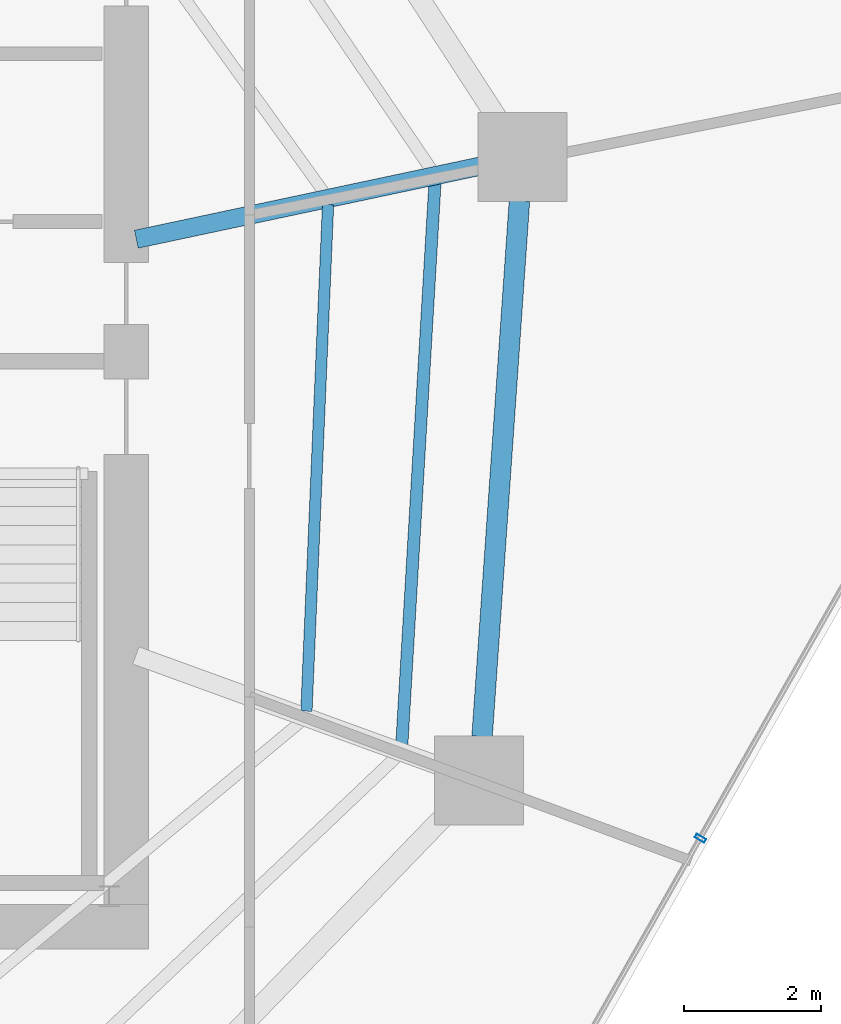
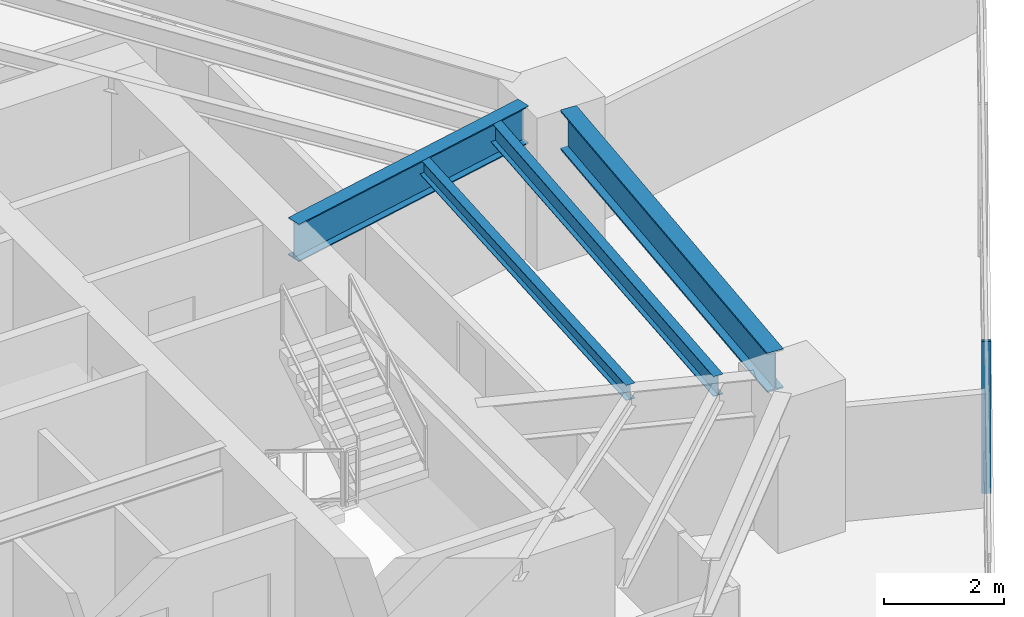
# One storey, part 14 of 31: 4 beams, 1 member, 1 element without a shape of its own.
"""IFC4 building model written with IfcOpenShell, lengths in metres."""

import ifcopenshell
import ifcopenshell.guid

model = None  # the IFC model being written
_history = None  # IfcOwnerHistory: only IFC2X3 demands one
_inside = {}  # id of a spatial element -> (the spatial element, [elements in it])
_under = {}  # id of a project, library or spatial element -> (it, [spatial elements below it])
_declared = {}  # id of a project -> (the project, [libraries it declares])
_typed = {}  # id of a type object -> (the type object, [elements of that type])
_made_of = {}  # id of a material, layer set ... -> (it, [elements and type objects made of it])


def new_model(schema):
    """Start an empty IFC model of exactly this schema.

    Asked for "IFC4X3", IfcOpenShell would pick the latest addendum, in which some entities
    have other attributes; the version numbers below select the first issue.
    IFC2X3 requires an IfcOwnerHistory on every rooted entity: one is made here for all.
    """
    global model, _history
    if schema == "IFC4X3":
        model = ifcopenshell.file(schema_version=(4, 3, 0, 0))
    else:
        model = ifcopenshell.file(schema=schema)
    _inside.clear()
    _under.clear()
    _declared.clear()
    _typed.clear()
    _made_of.clear()
    _history = None
    if model.schema == "IFC2X3":
        org = make("IfcOrganization", Name="unknown")
        user = make(
            "IfcPersonAndOrganization",
            ThePerson=make("IfcPerson", FamilyName="unknown"),
            TheOrganization=org,
        )
        app = make(
            "IfcApplication",
            ApplicationDeveloper=org,
            Version="unknown",
            ApplicationFullName="unknown",
            ApplicationIdentifier="unknown",
        )
        _history = make(
            "IfcOwnerHistory",
            OwningUser=user,
            OwningApplication=app,
            ChangeAction="ADDED",
            CreationDate=0,
        )
    return model


def make(cls, **values):
    """One entity of the class cls with the attributes given. An attribute that is None is left unset."""
    return model.create_entity(
        cls, **{name: value for name, value in values.items() if value is not None}
    )


def rooted(cls, **values):
    """An entity with a GlobalId (a new one), such as an element, a storey or a relation."""
    return make(cls, GlobalId=ifcopenshell.guid.new(), OwnerHistory=_history, **values)


def si_unit(unit_type, name, prefix=None):
    """IfcSIUnit, for example si_unit("LENGTHUNIT", "METRE", prefix="MILLI")."""
    return make("IfcSIUnit", UnitType=unit_type, Prefix=prefix, Name=name)


def assignment(units):
    """IfcUnitAssignment: the units of a project."""
    return None if units is None else make("IfcUnitAssignment", Units=units)


def point(xyz):
    """IfcCartesianPoint."""
    return None if xyz is None else make("IfcCartesianPoint", Coordinates=xyz)


def direction(xyz):
    """IfcDirection."""
    return None if xyz is None else make("IfcDirection", DirectionRatios=xyz)


def frame(location, z_axis=None, x_axis=None):
    """IfcAxis2Placement3D, a coordinate frame: its origin and axes. An axis left out is left unset."""
    return make(
        "IfcAxis2Placement3D",
        Location=point(location),
        Axis=direction(z_axis),
        RefDirection=direction(x_axis),
    )


def frame_2d(location, x_axis=None):
    """IfcAxis2Placement2D, a coordinate frame in the plane: its origin and x axis."""
    return make(
        "IfcAxis2Placement2D", Location=point(location), RefDirection=direction(x_axis)
    )


def origin():
    """The frame at (0, 0, 0) with its axes left unset."""
    return frame((0.0, 0.0, 0.0))


def origin_2d():
    """The frame at (0, 0) in the plane with its x axis left unset."""
    return frame_2d((0.0, 0.0))


def place(relative_to, where):
    """IfcLocalPlacement: puts the frame where relative to a parent placement (None: the world)."""
    return make(
        "IfcLocalPlacement", PlacementRelTo=relative_to, RelativePlacement=where
    )


def context(
    kind, dimensions, precision=None, world=None, true_north=None, identifier=None
):
    """IfcGeometricRepresentationContext, for example the 3D "Model" context."""
    return make(
        "IfcGeometricRepresentationContext",
        ContextIdentifier=identifier,
        ContextType=kind,
        CoordinateSpaceDimension=dimensions,
        Precision=precision,
        WorldCoordinateSystem=world,
        TrueNorth=true_north,
    )


def subcontext(parent, identifier, kind, view, scale=None):
    """IfcGeometricRepresentationSubContext, for example "Body" below "Model"."""
    return make(
        "IfcGeometricRepresentationSubContext",
        ContextIdentifier=identifier,
        ContextType=kind,
        ParentContext=parent,
        TargetScale=scale,
        TargetView=view,
    )


def project(units=None, contexts=None):
    """IfcProject with its units and contexts."""
    return rooted(
        "IfcProject",
        Name="project",
        RepresentationContexts=contexts,
        UnitsInContext=assignment(units),
    )


def spatial(cls, under=None, at=None, **own):
    """A site, building, storey or space (cls), placed at a placement, below another one or the project."""
    s = rooted(cls, ObjectPlacement=at, **own)
    if under is not None:
        _under.setdefault(under.id(), (under, []))[1].append(s)
    return s


def profile(cls, at=None, kind="AREA", **sizes):
    """A parametric profile (cls). Its sizes go by their IFC names, for example OverallWidth=200.0."""
    return make(cls, ProfileType=kind, Position=at, **sizes)


def hollow_rectangle(**sizes):
    """IfcRectangleHollowProfileDef."""
    return profile("IfcRectangleHollowProfileDef", **sizes)


def i_section(**sizes):
    """IfcIShapeProfileDef."""
    return profile("IfcIShapeProfileDef", **sizes)


def extrude(swept, where, along, depth):
    """IfcExtrudedAreaSolid: the profile swept, set in the frame where, extruded along a direction by depth."""
    return make(
        "IfcExtrudedAreaSolid",
        SweptArea=swept,
        Position=where,
        ExtrudedDirection=direction(along),
        Depth=depth,
    )


def shape(context_of_items, identifier, shape_type, items):
    """IfcShapeRepresentation: the items that make up one representation, for example the "Body"."""
    return make(
        "IfcShapeRepresentation",
        ContextOfItems=context_of_items,
        RepresentationIdentifier=identifier,
        RepresentationType=shape_type,
        Items=items,
    )


def material(Name=None, Category=None):
    """IfcMaterial."""
    return make("IfcMaterial", Name=Name, Category=Category)


def layer(
    of_material, thickness, ventilated=None, Name=None, Category=None, Priority=None
):
    """IfcMaterialLayer: one layer of a wall or slab, of a material (None: an air gap)."""
    return make(
        "IfcMaterialLayer",
        Material=of_material,
        LayerThickness=thickness,
        IsVentilated=ventilated,
        Name=Name,
        Category=Category,
        Priority=Priority,
    )


def layer_set(layers, Name=None):
    """IfcMaterialLayerSet."""
    return make("IfcMaterialLayerSet", MaterialLayers=layers, LayerSetName=Name)


def material_profile(
    of_material, cross_section, Name=None, Category=None, Priority=None
):
    """IfcMaterialProfile: a cross section and its material."""
    return make(
        "IfcMaterialProfile",
        Name=Name,
        Material=of_material,
        Profile=cross_section,
        Priority=Priority,
        Category=Category,
    )


def profile_set(profiles, Name=None, composite=None):
    """IfcMaterialProfileSet."""
    return make(
        "IfcMaterialProfileSet",
        Name=Name,
        MaterialProfiles=profiles,
        CompositeProfile=composite,
    )


def made_of(thing, what):
    """Note that an element or type object is made of a material, layer set ...; save() writes the relation."""
    if what is not None:
        _made_of.setdefault(what.id(), (what, []))[1].append(thing)
    return thing


def type_object(cls, material=None, **own):
    """A type object (cls), such as IfcWallType, which elements share."""
    return made_of(rooted(cls, **own), material)


def element(
    cls,
    number,
    at=None,
    inside=None,
    cuts=None,
    type_object=None,
    material=None,
    context=None,
    identifier="Body",
    shape_type=None,
    held_by="IfcProductDefinitionShape",
    body=None,
    shapes=None,
    **own,
):
    """One element of the class cls, such as IfcWall. Its Tag is "e" and its number.

    at: its placement. inside: the storey or other place that contains it. cuts: it is an
    opening in that element (IfcRelVoidsElement). A single representation is given by context,
    identifier, shape_type and body (its items); several are given by shapes. held_by: the class
    of the entity that holds the representations. save() writes the other relations.
    """
    e = rooted(cls, Tag="e%d" % number, ObjectPlacement=at, **own)
    if body is not None:
        shapes = [shape(context, identifier, shape_type, body)]
    if shapes is not None:
        e.Representation = make(held_by, Representations=shapes)
    if inside is not None:
        _inside.setdefault(inside.id(), (inside, []))[1].append(e)
    if cuts is not None:
        rooted(
            "IfcRelVoidsElement", RelatingBuildingElement=cuts, RelatedOpeningElement=e
        )
    if type_object is not None:
        _typed.setdefault(type_object.id(), (type_object, []))[1].append(e)
    return made_of(e, material)


def aggregate(whole, parts):
    """IfcRelAggregates: a whole, such as a stair, and the parts it consists of."""
    return rooted("IfcRelAggregates", RelatingObject=whole, RelatedObjects=parts)


def save(model, path):
    """Write the relations noted so far, then the file.

    IfcRelAggregates (storeys below a building ...), IfcRelContainedInSpatialStructure (elements
    in a storey), IfcRelDefinesByType, IfcRelAssociatesMaterial and IfcRelDeclares: one each for
    every whole, place, type object, material and project.
    """
    for whole, parts in _under.values():
        aggregate(whole, parts)
    for where, things in _inside.values():
        rooted(
            "IfcRelContainedInSpatialStructure",
            RelatedElements=things,
            RelatingStructure=where,
        )
    for kind, things in _typed.values():
        rooted("IfcRelDefinesByType", RelatedObjects=things, RelatingType=kind)
    for what, things in _made_of.values():
        rooted("IfcRelAssociatesMaterial", RelatedObjects=things, RelatingMaterial=what)
    for by, libraries in _declared.values():
        rooted("IfcRelDeclares", RelatingContext=by, RelatedDefinitions=libraries)
    model.write(path)


model = new_model("IFC4")

# Units and contexts
model_context = context("Model", 3, precision=1e-05, world=origin(), true_north=direction((0.0, 1.0)))
body_context = subcontext(model_context, "Body", "Model", "MODEL_VIEW")
ifc_project = project(units=[si_unit("LENGTHUNIT", "METRE"), si_unit("AREAUNIT", "SQUARE_METRE"), si_unit("VOLUMEUNIT", "CUBIC_METRE"), si_unit("PLANEANGLEUNIT", "RADIAN"), si_unit("MASSUNIT", "GRAM", prefix="KILO")], contexts=[model_context])

# Site, building, storey
site_placement = place(None, origin())
site = spatial("IfcSite", under=ifc_project, at=site_placement, CompositionType="ELEMENT")
building_placement = place(site_placement, origin())
building = spatial("IfcBuilding", under=site, at=building_placement, Name="Qarnah Convention Tower", CompositionType="ELEMENT")
storey_placement = place(building_placement, frame((0.0, 0.0, 68.39990234375)))
storey = spatial("IfcBuildingStorey", under=building, at=storey_placement, Name="L17", CompositionType="ELEMENT", Elevation=68.39990234375)

# Beams
ifc_material_1 = material(Name="Structural steel S355JR", Category="steel")
ifc_material_profile_1 = material_profile(ifc_material_1, i_section(OverallWidth=0.166015625, OverallDepth=0.31201171875, WebThickness=0.007080078125, FlangeThickness=0.010986328125, at=origin_2d()), Name="W310X45")
ifc_profile_set_1 = profile_set([ifc_material_profile_1], Name="Structural steel S355JR")
beam_type_1 = type_object("IfcBeamType", Name="BM-JST-W310", PredefinedType="JOIST", material=ifc_profile_set_1)
beam_1_placement = place(storey_placement, frame((50.23193359375, 21.7490234375, 2.93408203125), z_axis=(0.042691854151, 0.999088287184, 0.0), x_axis=(-0.999088287184, 0.042691854151, 0.0)))
element("IfcBeam", 1, at=beam_1_placement, inside=storey, type_object=beam_type_1, Name="L17 joist BM-L17-IJST-09", PredefinedType="JOIST", context=body_context, shape_type="SweptSolid", body=[
    extrude(i_section(OverallWidth=0.166015625, OverallDepth=0.31201171875, WebThickness=0.007080078125, FlangeThickness=0.010986328125, at=origin_2d()), origin(), (0.0, 0.0, 1.0), 7.40576171875),
])
ifc_material_profile_2 = material_profile(ifc_material_1, i_section(OverallWidth=0.177978515625, OverallDepth=0.407958984375, WebThickness=0.008056640625, FlangeThickness=0.012939453125, at=origin_2d()), Name="W410X60")
ifc_profile_set_2 = profile_set([ifc_material_profile_2], Name="Structural steel S355JR")
beam_type_2 = type_object("IfcBeamType", Name="BM-JST-W410", PredefinedType="JOIST", material=ifc_profile_set_2)
beam_2_placement = place(storey_placement, frame((51.6240234375, 21.241943359375, 2.885986328125), z_axis=(0.058902383337, 0.998263747332, 0.0), x_axis=(-0.998263747332, 0.058902383337, 0.0)))
element("IfcBeam", 2, at=beam_2_placement, inside=storey, type_object=beam_type_2, Name="L17 joist BM-L17-SJST-09", PredefinedType="JOIST", context=body_context, shape_type="SweptSolid", body=[
    extrude(i_section(OverallWidth=0.177978515625, OverallDepth=0.407958984375, WebThickness=0.008056640625, FlangeThickness=0.012939453125, at=origin_2d()), origin(), (0.0, 0.0, 1.0), 8.25244140625),
])
ifc_material_profile_3 = material_profile(ifc_material_1, i_section(OverallWidth=0.26806640625, OverallDepth=0.760009765625, WebThickness=0.014892578125, FlangeThickness=0.02197265625, at=origin_2d()), Name="W760X185")
ifc_profile_set_3 = profile_set([ifc_material_profile_3], Name="Structural steel S355JR")
beam_type_3 = type_object("IfcBeamType", Name="BM-RAD-W760", PredefinedType="BEAM", material=ifc_profile_set_3)
beam_3_placement = place(storey_placement, frame((47.7470703125, 28.64208984375, 2.710205078125), z_axis=(0.978155710431, 0.207873534031, 0.0), x_axis=(-0.207873534031, 0.978155710431, 0.0)))
element("IfcBeam", 3, at=beam_3_placement, inside=storey, type_object=beam_type_3, Name="L17 beam BM-L17-RAD-01", PredefinedType="BEAM", context=body_context, shape_type="SweptSolid", body=[
    extrude(i_section(OverallWidth=0.26806640625, OverallDepth=0.760009765625, WebThickness=0.014892578125, FlangeThickness=0.02197265625, at=origin_2d()), origin(), (0.0, 0.0, 1.0), 5.13720703125),
])
ifc_material_profile_4 = material_profile(ifc_material_1, i_section(OverallWidth=0.300048828125, OverallDepth=0.800048828125, WebThickness=0.01806640625, FlangeThickness=0.032958984375, at=origin_2d()), Name="HEB800")
ifc_profile_set_4 = profile_set([ifc_material_profile_4], Name="Structural steel S355JR")
beam_type_4 = type_object("IfcBeamType", Name="BM-RING-HEB800", PredefinedType="BEAM", material=ifc_profile_set_4)
beam_4_placement = place(storey_placement, frame((52.797119140625, 21.3779296875, 2.690185546875), z_axis=(0.069594661237, 0.997575352105, 0.0), x_axis=(-0.997575352105, 0.069594661237, 0.0)))
element("IfcBeam", 4, at=beam_4_placement, inside=storey, type_object=beam_type_4, Name="L17 beam BM-L17-SPN-09", PredefinedType="BEAM", context=body_context, shape_type="SweptSolid", body=[
    extrude(i_section(OverallWidth=0.300048828125, OverallDepth=0.800048828125, WebThickness=0.01806640625, FlangeThickness=0.032958984375, at=origin_2d()), origin(), (0.0, 0.0, 1.0), 7.843994140625),
])

# Curtain wall, member
ifc_material_2 = material(Name="Tempered Low-E dark glass", Category="glass")
ifc_layer = layer(ifc_material_2, 0.16796875)
ifc_layer_set = layer_set([ifc_layer], Name="Tempered Low-E dark glass")
curtain_wall_type = type_object("IfcCurtainWallType", Name="CWS-01", PredefinedType="NOTDEFINED", material=ifc_layer_set)
curtain_wall_placement = place(storey_placement, origin())
curtain_wall = element("IfcCurtainWall", 5, at=curtain_wall_placement, inside=storey, type_object=curtain_wall_type, Name="L17 unitised curtain wall CW-L17-F1", PredefinedType="NOTDEFINED")
ifc_material_3 = material(Name="Black anodised aluminium", Category="aluminium")
ifc_material_profile_5 = material_profile(ifc_material_3, hollow_rectangle(XDim=0.06005859375, YDim=0.159912109375, WallThickness=0.00390625, at=origin_2d()), Name="MUL-60X160")
ifc_profile_set_5 = profile_set([ifc_material_profile_5], Name="Black anodised aluminium")
member_type = type_object("IfcMemberType", Name="MUL-T1", PredefinedType="MULLION", material=ifc_profile_set_5)
member_placement = place(storey_placement, frame((55.98681640625, 19.89208984375, 0.0), z_axis=(0.0, 0.0, 1.0), x_axis=(-0.4927413748, -0.87017580842, 0.0)))
member = element("IfcMember", 6, at=member_placement, type_object=member_type, Name="CW-L17-F1 mullion 3", PredefinedType="MULLION", context=body_context, shape_type="SweptSolid", body=[
    extrude(hollow_rectangle(XDim=0.06005859375, YDim=0.159912109375, WallThickness=0.00390625, at=origin_2d()), origin(), (0.0, 0.0, 1.0), 3.090087890625),
])
aggregate(curtain_wall, [member])

save(model, "model.ifc")
